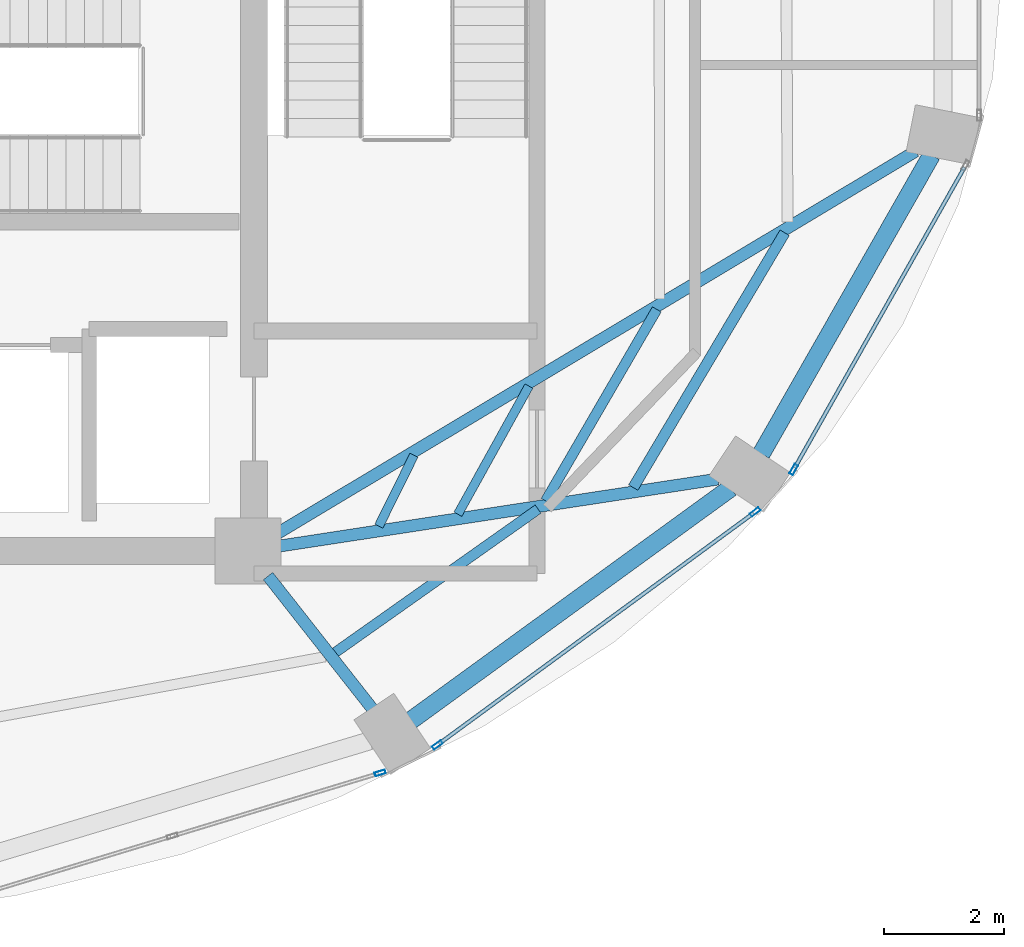
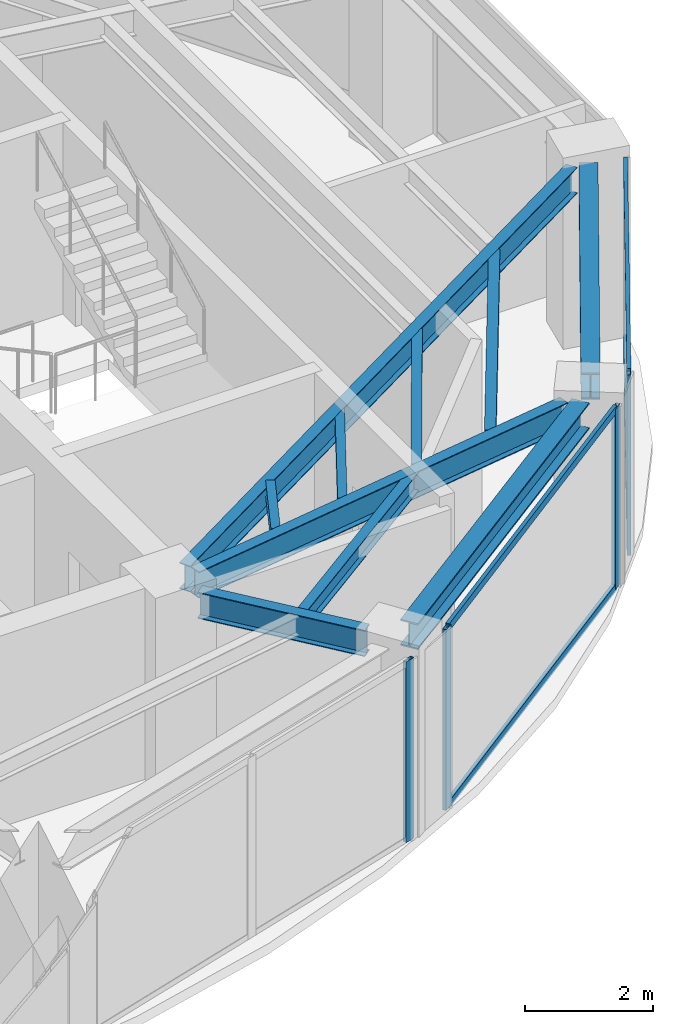
# One storey, part 13 of 22: 10 beams, 8 members, 3 elements without a shape of their own.
"""IFC4 building model written with IfcOpenShell, lengths in metres."""

from ifc_helpers import new_model, si_unit, direction, frame, origin, origin_2d, place, context, subcontext, project, spatial, hollow_rectangle, i_section, extrude, material, layer, layer_set, material_profile, profile_set, type_object, element, aggregate, save


model = new_model("IFC4")

# Units and contexts
model_context = context("Model", 3, precision=1e-05, world=origin(), true_north=direction((0.0, 1.0)))
body_context = subcontext(model_context, "Body", "Model", "MODEL_VIEW")
ifc_project = project(units=[si_unit("LENGTHUNIT", "METRE"), si_unit("AREAUNIT", "SQUARE_METRE"), si_unit("VOLUMEUNIT", "CUBIC_METRE"), si_unit("PLANEANGLEUNIT", "RADIAN"), si_unit("MASSUNIT", "GRAM", prefix="KILO")], contexts=[model_context])

# Site, building, storey
site_placement = place(None, origin())
site = spatial("IfcSite", under=ifc_project, at=site_placement, CompositionType="ELEMENT")
building_placement = place(site_placement, origin())
building = spatial("IfcBuilding", under=site, at=building_placement, Name="Lazwardi Medical Tower", CompositionType="ELEMENT")
storey_placement = place(building_placement, frame((0.0, 0.0, 258.672119140625)))
storey = spatial("IfcBuildingStorey", under=building, at=storey_placement, Name="L67", CompositionType="ELEMENT", Elevation=258.672119140625)

# Beams
ifc_material_1 = material(Name="Steel S355", Category="steel")
ifc_material_profile_1 = material_profile(ifc_material_1, i_section(OverallWidth=0.300048828125, OverallDepth=0.5, WebThickness=0.014404296875, FlangeThickness=0.028076171875, at=origin_2d()), Name="HEB 500")
ifc_profile_set_1 = profile_set([ifc_material_profile_1], Name="Steel S355")
beam_type_1 = type_object("IfcBeamType", Name="BM-RB-Z4", PredefinedType="BEAM", material=ifc_profile_set_1)
beam_1_placement = place(storey_placement, frame((48.31591796875, 17.5751953125, 3.197998046875), z_axis=(0.808889916254, 0.587960120571, 0.0), x_axis=(-0.587960120571, 0.808889916254, 0.0)))
element("IfcBeam", 1, at=beam_1_placement, inside=storey, type_object=beam_type_1, Name="Ring beam RB-05 B02 L67", PredefinedType="BEAM", context=body_context, shape_type="SweptSolid", body=[
    extrude(i_section(OverallWidth=0.300048828125, OverallDepth=0.5, WebThickness=0.014404296875, FlangeThickness=0.028076171875, at=origin_2d()), origin(), (0.0, 0.0, 1.0), 6.587158203125),
])
beam_2_placement = place(storey_placement, frame((54.15283203125, 22.016357421875, 3.197998046875), z_axis=(0.495125273299, 0.868821594886, 0.0), x_axis=(-0.868821594886, 0.495125273299, 0.0)))
element("IfcBeam", 2, at=beam_2_placement, inside=storey, type_object=beam_type_1, Name="Ring beam RB-05 B03 L67", PredefinedType="BEAM", context=body_context, shape_type="SweptSolid", body=[
    extrude(i_section(OverallWidth=0.300048828125, OverallDepth=0.5, WebThickness=0.014404296875, FlangeThickness=0.028076171875, at=origin_2d()), origin(), (0.0, 0.0, 1.0), 5.734130859375),
])
ifc_material_profile_2 = material_profile(ifc_material_1, i_section(OverallWidth=0.199951171875, OverallDepth=0.5, WebThickness=0.01025390625, FlangeThickness=0.01611328125, at=origin_2d()), Name="IPE 500")
ifc_profile_set_2 = profile_set([ifc_material_profile_2], Name="Steel S355")
beam_type_2 = type_object("IfcBeamType", Name="BM-RG-W3", PredefinedType="BEAM", material=ifc_profile_set_2)
beam_3_placement = place(storey_placement, frame((47.669677734375, 17.7666015625, 3.197998046875), z_axis=(-0.617890508382, 0.786264153864, 0.0), x_axis=(-0.786264153864, -0.617890508382, 0.0)))
element("IfcBeam", 3, at=beam_3_placement, inside=storey, type_object=beam_type_2, Name="Radial girder RG-04 R02 L67", PredefinedType="BEAM", context=body_context, shape_type="SweptSolid", body=[
    extrude(i_section(OverallWidth=0.199951171875, OverallDepth=0.5, WebThickness=0.01025390625, FlangeThickness=0.01611328125, at=origin_2d()), origin(), (0.0, 0.0, 1.0), 2.814453125),
])
beam_4_placement = place(storey_placement, frame((53.430908203125, 21.5966796875, 3.197998046875), z_axis=(-0.988522137285, -0.151076087115, 0.0), x_axis=(0.151076087115, -0.988522137285, 0.0)))
element("IfcBeam", 4, at=beam_4_placement, inside=storey, type_object=beam_type_2, Name="Radial girder RG-04 R03 L67", PredefinedType="BEAM", context=body_context, shape_type="SweptSolid", body=[
    extrude(i_section(OverallWidth=0.199951171875, OverallDepth=0.5, WebThickness=0.01025390625, FlangeThickness=0.01611328125, at=origin_2d()), origin(), (0.0, 0.0, 1.0), 7.38671875),
])
beam_5_placement = place(storey_placement, frame((56.72607421875, 27.062255859375, 3.197998046875), z_axis=(-0.857944804603, -0.513741873176, 0.0), x_axis=(0.513741873176, -0.857944804603, 0.0)))
element("IfcBeam", 5, at=beam_5_placement, inside=storey, type_object=beam_type_2, Name="Radial girder RG-04 R04 L67", PredefinedType="BEAM", context=body_context, shape_type="SweptSolid", body=[
    extrude(i_section(OverallWidth=0.199951171875, OverallDepth=0.5, WebThickness=0.01025390625, FlangeThickness=0.01611328125, at=origin_2d()), origin(), (0.0, 0.0, 1.0), 12.43310546875),
])
ifc_material_profile_3 = material_profile(ifc_material_1, i_section(OverallWidth=0.179931640625, OverallDepth=0.39990234375, WebThickness=0.008544921875, FlangeThickness=0.013427734375, at=origin_2d()), Name="IPE 400")
ifc_profile_set_3 = profile_set([ifc_material_profile_3], Name="Steel S355")
beam_type_3 = type_object("IfcBeamType", Name="BM-SJ-01", PredefinedType="JOIST", material=ifc_profile_set_3)
beam_6_placement = place(storey_placement, frame((52.01904296875, 21.455078125, 3.247802734375), z_axis=(0.510967866251, 0.859599813668, 0.0), x_axis=(-0.859599813668, 0.510967866251, 0.0)))
element("IfcBeam", 6, at=beam_6_placement, inside=storey, type_object=beam_type_3, Name="Secondary joist SJ-01 R1 B03 L67", PredefinedType="JOIST", context=body_context, shape_type="SweptSolid", body=[
    extrude(i_section(OverallWidth=0.179931640625, OverallDepth=0.39990234375, WebThickness=0.008544921875, FlangeThickness=0.013427734375, at=origin_2d()), origin(), (0.0, 0.0, 1.0), 4.94189453125),
])
ifc_material_profile_4 = material_profile(ifc_material_1, i_section(OverallWidth=0.169921875, OverallDepth=0.360107421875, WebThickness=0.008056640625, FlangeThickness=0.0126953125, at=origin_2d()), Name="IPE 360")
ifc_profile_set_4 = profile_set([ifc_material_profile_4], Name="Steel S355")
beam_type_4 = type_object("IfcBeamType", Name="BM-SJ-02", PredefinedType="JOIST", material=ifc_profile_set_4)
beam_7_placement = place(storey_placement, frame((47.051513671875, 18.70654296875, 3.267822265625), z_axis=(0.816711190406, 0.577046645832, 0.0), x_axis=(-0.577046645832, 0.816711190406, 0.0)))
element("IfcBeam", 7, at=beam_7_placement, inside=storey, type_object=beam_type_4, Name="Secondary joist SJ-02 R2 B02 L67", PredefinedType="JOIST", context=body_context, shape_type="SweptSolid", body=[
    extrude(i_section(OverallWidth=0.169921875, OverallDepth=0.360107421875, WebThickness=0.008056640625, FlangeThickness=0.0126953125, at=origin_2d()), origin(), (0.0, 0.0, 1.0), 4.139892578125),
])
beam_8_placement = place(storey_placement, frame((50.5576171875, 21.232421875, 3.267822265625), z_axis=(0.50218018565, 0.864763008657, 0.0), x_axis=(-0.864763008657, 0.50218018565, 0.0)))
element("IfcBeam", 8, at=beam_8_placement, inside=storey, type_object=beam_type_4, Name="Secondary joist SJ-02 R2 B03 L67", PredefinedType="JOIST", context=body_context, shape_type="SweptSolid", body=[
    extrude(i_section(OverallWidth=0.169921875, OverallDepth=0.360107421875, WebThickness=0.008056640625, FlangeThickness=0.0126953125, at=origin_2d()), origin(), (0.0, 0.0, 1.0), 3.69189453125),
])
ifc_material_profile_5 = material_profile(ifc_material_1, i_section(OverallWidth=0.14990234375, OverallDepth=0.300048828125, WebThickness=0.007080078125, FlangeThickness=0.0107421875, at=origin_2d()), Name="IPE 300")
ifc_profile_set_5 = profile_set([ifc_material_profile_5], Name="Steel S355")
beam_type_5 = type_object("IfcBeamType", Name="BM-SJ-03", PredefinedType="JOIST", material=ifc_profile_set_5)
beam_9_placement = place(storey_placement, frame((49.095703125, 21.01025390625, 3.2978515625), z_axis=(0.484751625998, 0.874651851363, 0.0), x_axis=(-0.874651851363, 0.484751625998, 0.0)))
element("IfcBeam", 9, at=beam_9_placement, inside=storey, type_object=beam_type_5, Name="Secondary joist SJ-03 R3 B03 L67", PredefinedType="JOIST", context=body_context, shape_type="SweptSolid", body=[
    extrude(i_section(OverallWidth=0.14990234375, OverallDepth=0.300048828125, WebThickness=0.007080078125, FlangeThickness=0.0107421875, at=origin_2d()), origin(), (0.0, 0.0, 1.0), 2.442626953125),
])
beam_10_placement = place(storey_placement, frame((47.777587890625, 20.811279296875, 3.2978515625), z_axis=(0.443587297772, 0.89623116954, 0.0), x_axis=(-0.89623116954, 0.443587297772, 0.0)))
element("IfcBeam", 10, at=beam_10_placement, inside=storey, type_object=beam_type_5, Name="Secondary joist SJ-03 R4 B03 L67", PredefinedType="JOIST", context=body_context, shape_type="SweptSolid", body=[
    extrude(i_section(OverallWidth=0.14990234375, OverallDepth=0.300048828125, WebThickness=0.007080078125, FlangeThickness=0.0107421875, at=origin_2d()), origin(), (0.0, 0.0, 1.0), 1.32080078125),
])

# Curtain wall, member
ifc_material_2 = material(Name="Anodised bronze aluminium and solar control glazing", Category="aluminium")
ifc_layer = layer(ifc_material_2, 0.18994140625)
ifc_layer_set = layer_set([ifc_layer], Name="Anodised bronze aluminium and solar control glazing")
curtain_wall_type = type_object("IfcCurtainWallType", Name="CW-SYS-04", PredefinedType="NOTDEFINED", material=ifc_layer_set)
curtain_wall_1_placement = place(storey_placement, origin())
curtain_wall_1 = element("IfcCurtainWall", 11, at=curtain_wall_1_placement, inside=storey, type_object=curtain_wall_type, Name="L67 Unitised bronze curtain wall CW-04", PredefinedType="NOTDEFINED")
ifc_material_3 = material(Name="Anodised bronze aluminium", Category="aluminium")
ifc_material_profile_6 = material_profile(ifc_material_3, hollow_rectangle(XDim=0.06494140625, YDim=0.179931640625, WallThickness=0.00390625, at=origin_2d()), Name="ALU-MULLION 180x65x4")
ifc_profile_set_6 = profile_set([ifc_material_profile_6], Name="Anodised bronze aluminium")
member_type_1 = type_object("IfcMemberType", Name="CW-MUL-03", PredefinedType="MULLION", material=ifc_profile_set_6)
member_1_placement = place(storey_placement, frame((47.7998046875, 16.696533203125, 0.0), z_axis=(0.0, 0.0, 1.0), x_axis=(-0.290581889515, 0.956850126972, 0.0)))
member_1 = element("IfcMember", 12, at=member_1_placement, type_object=member_type_1, Name="CW-04 mullion 3", PredefinedType="MULLION", context=body_context, shape_type="SweptSolid", body=[
    extrude(hollow_rectangle(XDim=0.06494140625, YDim=0.179931640625, WallThickness=0.00390625, at=origin_2d()), origin(), (0.0, 0.0, 1.0), 3.447998046875),
])
aggregate(curtain_wall_1, [member_1])

# Curtain wall, members
curtain_wall_2_placement = place(storey_placement, origin())
curtain_wall_2 = element("IfcCurtainWall", 13, at=curtain_wall_2_placement, inside=storey, type_object=curtain_wall_type, Name="L67 Unitised bronze curtain wall CW-04", PredefinedType="NOTDEFINED")
member_2_placement = place(storey_placement, frame((48.75537109375, 17.1650390625, 0.0), z_axis=(0.0, 0.0, 1.0), x_axis=(-0.591268230971, 0.806474971121, 0.0)))
member_2 = element("IfcMember", 14, at=member_2_placement, type_object=member_type_1, Name="CW-04 mullion 1", PredefinedType="MULLION", context=body_context, shape_type="SweptSolid", body=[
    extrude(hollow_rectangle(XDim=0.06494140625, YDim=0.179931640625, WallThickness=0.00390625, at=origin_2d()), origin(), (0.0, 0.0, 1.0), 3.447998046875),
])
member_3_placement = place(storey_placement, frame((54.052001953125, 21.04833984375, 0.0), z_axis=(0.0, 0.0, 1.0), x_axis=(-0.591268230971, 0.806474971121, 0.0)))
member_3 = element("IfcMember", 15, at=member_3_placement, type_object=member_type_1, Name="CW-04 mullion 2", PredefinedType="MULLION", context=body_context, shape_type="SweptSolid", body=[
    extrude(hollow_rectangle(XDim=0.06494140625, YDim=0.179931640625, WallThickness=0.00390625, at=origin_2d()), origin(), (0.0, 0.0, 1.0), 3.447998046875),
])

# Curtain wall, member
curtain_wall_3_placement = place(storey_placement, origin())
curtain_wall_3 = element("IfcCurtainWall", 16, at=curtain_wall_3_placement, inside=storey, type_object=curtain_wall_type, Name="L67 Unitised bronze curtain wall CW-04", PredefinedType="NOTDEFINED")
member_4_placement = place(storey_placement, frame((54.6943359375, 21.75439453125, 0.0), z_axis=(0.0, 0.0, 1.0), x_axis=(-0.870651436011, 0.491900474661, 0.0)))
member_4 = element("IfcMember", 17, at=member_4_placement, type_object=member_type_1, Name="CW-04 mullion 1", PredefinedType="MULLION", context=body_context, shape_type="SweptSolid", body=[
    extrude(hollow_rectangle(XDim=0.06494140625, YDim=0.179931640625, WallThickness=0.00390625, at=origin_2d()), origin(), (0.0, 0.0, 1.0), 3.447998046875),
])

# Member
ifc_material_profile_7 = material_profile(ifc_material_3, hollow_rectangle(XDim=0.06494140625, YDim=0.139892578125, WallThickness=0.00341796875, at=origin_2d()), Name="ALU-TRANSOM 140x65x3.5")
ifc_profile_set_7 = profile_set([ifc_material_profile_7], Name="Anodised bronze aluminium")
member_type_2 = type_object("IfcMemberType", Name="CW-TRN-03", PredefinedType="USERDEFINED", material=ifc_profile_set_7)
member_5_placement = place(storey_placement, frame((48.781494140625, 17.184326171875, 0.032470703125), z_axis=(0.80648973359, 0.591248094808, 0.0), x_axis=(-0.591248094808, 0.80648973359, 0.0)))
member_5 = element("IfcMember", 18, at=member_5_placement, type_object=member_type_2, Name="CW-04 transom 1.1", ObjectType="TRANSOM", PredefinedType="USERDEFINED", context=body_context, shape_type="SweptSolid", body=[
    extrude(hollow_rectangle(XDim=0.06494140625, YDim=0.139892578125, WallThickness=0.00341796875, at=origin_2d()), origin(), (0.0, 0.0, 1.0), 6.502685546875),
])

member_6_placement = place(storey_placement, frame((48.781494140625, 17.184326171875, 3.415283203125), z_axis=(0.80648973359, 0.591248094808, 0.0), x_axis=(-0.591248094808, 0.80648973359, 0.0)))
member_6 = element("IfcMember", 19, at=member_6_placement, type_object=member_type_2, Name="CW-04 transom 1.2", ObjectType="TRANSOM", PredefinedType="USERDEFINED", context=body_context, shape_type="SweptSolid", body=[
    extrude(hollow_rectangle(XDim=0.06494140625, YDim=0.139892578125, WallThickness=0.00341796875, at=origin_2d()), origin(), (0.0, 0.0, 1.0), 6.502685546875),
])

aggregate(curtain_wall_2, [member_2, member_3, member_5, member_6])

member_7_placement = place(storey_placement, frame((54.71044921875, 21.78271484375, 0.032470703125), z_axis=(0.491879719484, 0.87066316194, 0.0), x_axis=(-0.87066316194, 0.491879719484, 0.0)))
member_7 = element("IfcMember", 20, at=member_7_placement, type_object=member_type_2, Name="CW-04 transom 1.1", ObjectType="TRANSOM", PredefinedType="USERDEFINED", context=body_context, shape_type="SweptSolid", body=[
    extrude(hollow_rectangle(XDim=0.06494140625, YDim=0.139892578125, WallThickness=0.00341796875, at=origin_2d()), origin(), (0.0, 0.0, 1.0), 5.755126953125),
])

member_8_placement = place(storey_placement, frame((54.71044921875, 21.78271484375, 3.415283203125), z_axis=(0.491879719484, 0.87066316194, 0.0), x_axis=(-0.87066316194, 0.491879719484, 0.0)))
member_8 = element("IfcMember", 21, at=member_8_placement, type_object=member_type_2, Name="CW-04 transom 1.2", ObjectType="TRANSOM", PredefinedType="USERDEFINED", context=body_context, shape_type="SweptSolid", body=[
    extrude(hollow_rectangle(XDim=0.06494140625, YDim=0.139892578125, WallThickness=0.00341796875, at=origin_2d()), origin(), (0.0, 0.0, 1.0), 5.755126953125),
])

aggregate(curtain_wall_3, [member_4, member_7, member_8])

save(model, "model.ifc")
